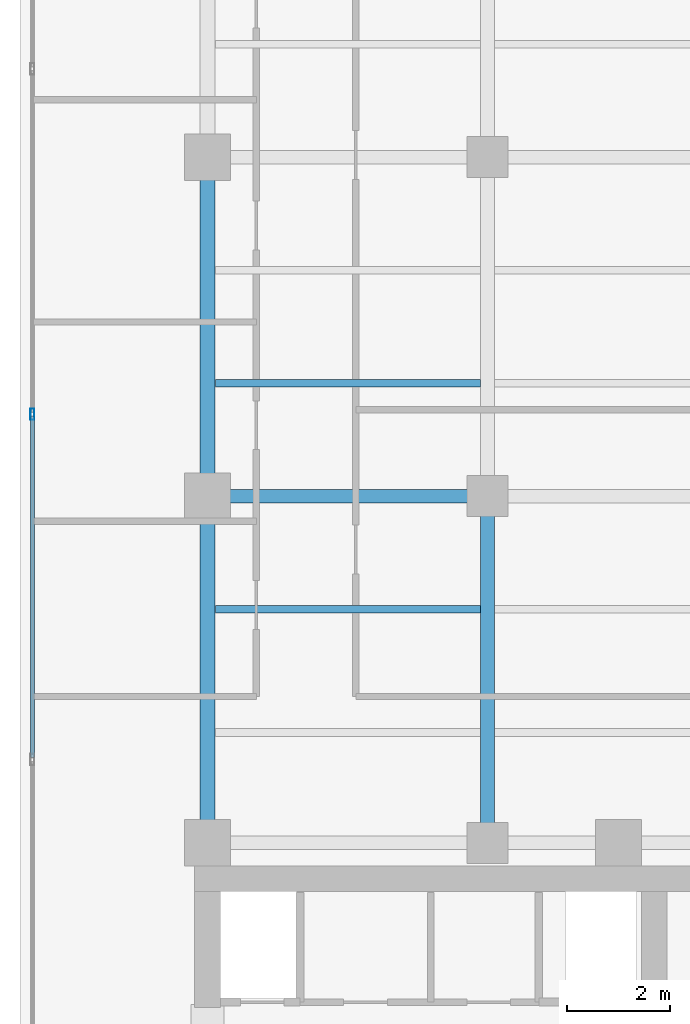
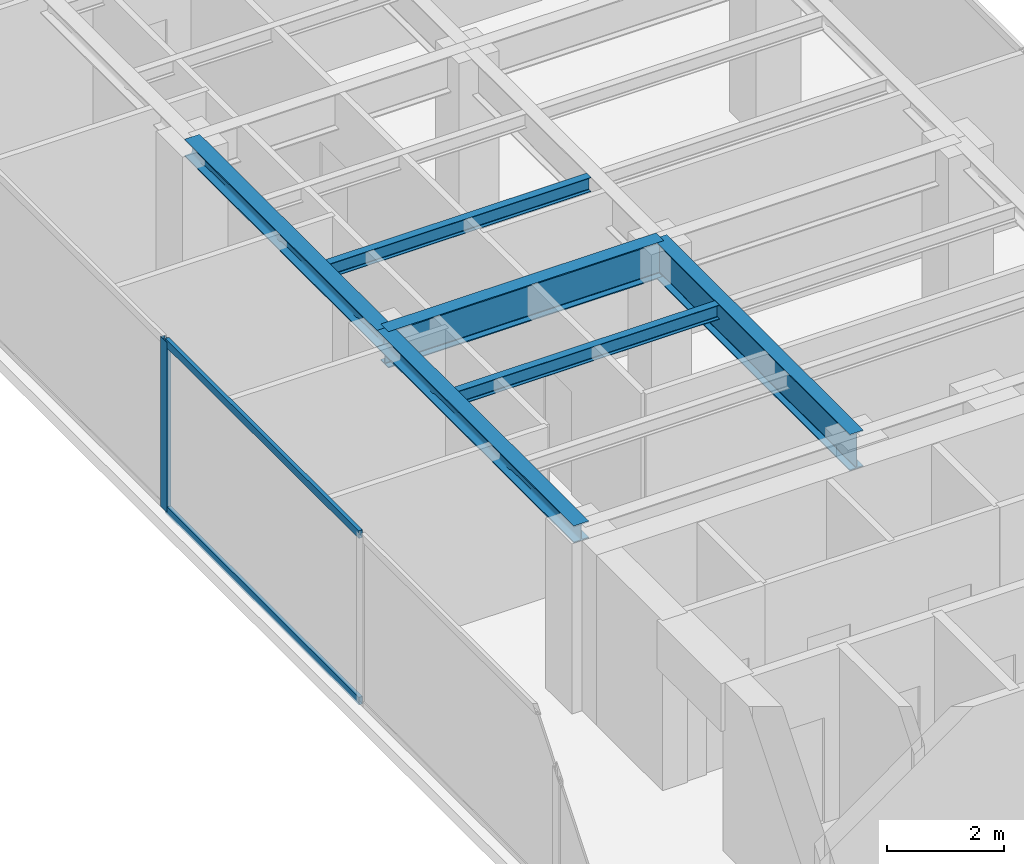
# One storey, part 7 of 23: 6 beams, 3 members, 1 element without a shape of its own.
"""IFC4 building model written with IfcOpenShell, lengths in metres."""

from ifc_helpers import new_model, si_unit, direction, frame, origin, origin_with_axes, origin_2d, place, context, subcontext, project, spatial, hollow_rectangle, i_section, extrude, source, transform, mapped, material, layer, layer_set, material_profile, profile_set, type_object, element, aggregate, save


model = new_model("IFC4")

# Units and contexts
model_context = context("Model", 3, precision=1e-05, world=origin(), true_north=direction((0.0, 1.0)))
body_context = subcontext(model_context, "Body", "Model", "MODEL_VIEW")
ifc_project = project(units=[si_unit("LENGTHUNIT", "METRE"), si_unit("AREAUNIT", "SQUARE_METRE"), si_unit("VOLUMEUNIT", "CUBIC_METRE"), si_unit("PLANEANGLEUNIT", "RADIAN"), si_unit("MASSUNIT", "GRAM", prefix="KILO")], contexts=[model_context])

# Site, building, storey
site_placement = place(None, origin())
site = spatial("IfcSite", under=ifc_project, at=site_placement, CompositionType="ELEMENT")
building_placement = place(site_placement, origin())
building = spatial("IfcBuilding", under=site, at=building_placement, Name="Kolvaren Waterfront Exchange", CompositionType="ELEMENT")
storey_placement = place(building_placement, frame((0.0, 0.0, 289.39990234375)))
storey = spatial("IfcBuildingStorey", under=building, at=storey_placement, Name="L74", CompositionType="ELEMENT", Elevation=289.39990234375)

# Beams
ifc_material_1 = material(Name="Steel S355", Category="steel")
ifc_material_profile_1 = material_profile(ifc_material_1, i_section(OverallWidth=0.300048828125, OverallDepth=0.360107421875, WebThickness=0.012451171875, FlangeThickness=0.0224609375, FilletRadius=0.027099609375, at=origin_2d()), Name="HEB360")
ifc_profile_set_1 = profile_set([ifc_material_profile_1], Name="Steel S355")
beam_type_1 = type_object("IfcBeamType", Name="STR-BM-HEB360", PredefinedType="SPANDREL", material=ifc_profile_set_1)
beam_1_placement = place(storey_placement, frame((7.449951171875, 24.449951171875, 3.380126953125), z_axis=(0.0, 1.0, 0.0), x_axis=(-1.0, 0.0, 0.0)))
element("IfcBeam", 1, at=beam_1_placement, inside=storey, type_object=beam_type_1, Name="L74 north-arm edge beam 1", PredefinedType="SPANDREL", context=body_context, shape_type="SweptSolid", body=[
    extrude(i_section(OverallWidth=0.300048828125, OverallDepth=0.360107421875, WebThickness=0.012451171875, FlangeThickness=0.0224609375, FilletRadius=0.027099609375, at=origin_2d()), origin(), (0.0, 0.0, 1.0), 6.75),
])
beam_2_placement = place(storey_placement, frame((7.449951171875, 31.199951171875, 3.380126953125), z_axis=(0.0, 1.0, 0.0), x_axis=(-1.0, 0.0, 0.0)))
element("IfcBeam", 2, at=beam_2_placement, inside=storey, type_object=beam_type_1, Name="L74 north-arm edge beam 2", PredefinedType="SPANDREL", context=body_context, shape_type="SweptSolid", body=[
    extrude(i_section(OverallWidth=0.300048828125, OverallDepth=0.360107421875, WebThickness=0.012451171875, FlangeThickness=0.0224609375, FilletRadius=0.027099609375, at=origin_2d()), origin(), (0.0, 0.0, 1.0), 6.60009765625),
])
ifc_material_profile_2 = material_profile(ifc_material_1, i_section(OverallWidth=0.14990234375, OverallDepth=0.300048828125, WebThickness=0.007080078125, FlangeThickness=0.0107421875, FilletRadius=0.014892578125, at=origin_2d()), Name="IPE300")
ifc_profile_set_2 = profile_set([ifc_material_profile_2], Name="Steel S355")
beam_type_2 = type_object("IfcBeamType", Name="STR-BM-IPE300", PredefinedType="JOIST", material=ifc_profile_set_2)
for number, where, z_axis, x_axis, name in (
    (3, (7.60205078125, 29.0, 3.41015625), (1.0, 0.0, 0.0), (0.0, 1.0, 0.0), "L74 north-arm composite joist 2A"),
    (4, (7.60205078125, 33.39990234375, 3.41015625), (1.0, 0.0, 0.0), (0.0, 1.0, 0.0), "L74 north-arm composite joist 3A"),
):
    element("IfcBeam", number, at=place(storey_placement, frame(where, z_axis=z_axis, x_axis=x_axis)), inside=storey, type_object=beam_type_2, Name=name, PredefinedType="JOIST", context=body_context, shape_type="SweptSolid", body=[
        extrude(i_section(OverallWidth=0.14990234375, OverallDepth=0.300048828125, WebThickness=0.007080078125, FlangeThickness=0.0107421875, FilletRadius=0.014892578125, at=origin_2d()), origin(), (0.0, 0.0, 1.0), 5.162353515625),
    ])
ifc_material_profile_3 = material_profile(ifc_material_1, i_section(OverallWidth=0.26708984375, OverallDepth=0.761962890625, WebThickness=0.014404296875, FlangeThickness=0.021484375, FilletRadius=0.01708984375, at=origin_2d()), Name="IPE750x173")
ifc_profile_set_3 = profile_set([ifc_material_profile_3], Name="Steel S355")
beam_type_3 = type_object("IfcBeamType", Name="STR-BM-IPE750", PredefinedType="BEAM", material=ifc_profile_set_3)
beam_3_placement = place(storey_placement, frame((7.449951171875, 31.199951171875, 3.17919921875), z_axis=(1.0, 0.0, 0.0), x_axis=(0.0, 1.0, 0.0)))
element("IfcBeam", 5, at=beam_3_placement, inside=storey, type_object=beam_type_3, Name="L74 north-arm girder 2A", PredefinedType="BEAM", context=body_context, shape_type="SweptSolid", body=[
    extrude(i_section(OverallWidth=0.26708984375, OverallDepth=0.761962890625, WebThickness=0.014404296875, FlangeThickness=0.021484375, FilletRadius=0.01708984375, at=origin_2d()), origin(), (0.0, 0.0, 1.0), 5.449951171875),
])
beam_4_placement = place(storey_placement, frame((12.89990234375, 24.449951171875, 3.17919921875), z_axis=(0.0, 1.0, 0.0), x_axis=(-1.0, 0.0, 0.0)))
element("IfcBeam", 6, at=beam_4_placement, inside=storey, type_object=beam_type_3, Name="L74 north-arm edge beam 1", PredefinedType="BEAM", context=body_context, shape_type="SweptSolid", body=[
    extrude(i_section(OverallWidth=0.26708984375, OverallDepth=0.761962890625, WebThickness=0.014404296875, FlangeThickness=0.021484375, FilletRadius=0.01708984375, at=origin_2d()), origin(), (0.0, 0.0, 1.0), 6.75),
])

# Curtain wall, members
ifc_material_2 = material(Name="Anodised aluminium 6063-T6", Category="aluminium")
ifc_layer = layer(ifc_material_2, 0.219970703125, Name="Anodised aluminium 6063-T6")
ifc_layer_set = layer_set([ifc_layer], Name="Anodised aluminium 6063-T6")
curtain_wall_type = type_object("IfcCurtainWallType", Name="ARC-CW-SYS2", PredefinedType="USERDEFINED", material=ifc_layer_set)
curtain_wall_placement = place(storey_placement, origin())
curtain_wall = element("IfcCurtainWall", 7, at=curtain_wall_placement, inside=storey, type_object=curtain_wall_type, Name="L74 stick curtain wall CW2 (CW-L74-W)", ObjectType="STICK CURTAIN WALL", PredefinedType="USERDEFINED")
ifc_material_profile_4 = material_profile(ifc_material_2, hollow_rectangle(XDim=0.080078125, YDim=0.219970703125, WallThickness=0.0048828125, at=origin_2d()), Name="ALU-MUL-220x80x5")
ifc_profile_set_4 = profile_set([ifc_material_profile_4], Name="Anodised aluminium 6063-T6")
member_type_1 = type_object("IfcMemberType", Name="ARC-CWM-220", PredefinedType="MULLION", material=ifc_profile_set_4)
shared_shape_1 = source(origin_with_axes(), body_context, "Body", "SweptSolid", [
    extrude(hollow_rectangle(XDim=0.080078125, YDim=0.219970703125, WallThickness=0.0048828125, at=origin_2d()), origin(), (0.0, 0.0, 1.0), 3.56005859375),
])
member_1_placement = place(storey_placement, frame((4.0400390625, 32.794677734375, 0.0), z_axis=(0.0, 0.0, 1.0), x_axis=(-1.0, 0.0, 0.0)))
member_1 = element("IfcMember", 8, at=member_1_placement, type_object=member_type_1, Name="CW2 mullion 5", PredefinedType="MULLION", context=body_context, shape_type="MappedRepresentation", body=[
    mapped(shared_shape_1, transform((0.0, 0.0, 0.0), x_axis=(1.0, 0.0, 0.0), y_axis=(0.0, 1.0, 0.0), z_axis=(0.0, 0.0, 1.0), scale=1.0)),
])
ifc_material_profile_5 = material_profile(ifc_material_2, hollow_rectangle(XDim=0.074951171875, YDim=0.159912109375, WallThickness=0.00439453125, at=origin_2d()), Name="ALU-TRN-160x75x4.5")
ifc_profile_set_5 = profile_set([ifc_material_profile_5], Name="Anodised aluminium 6063-T6")
member_type_2 = type_object("IfcMemberType", Name="ARC-CWT-160", PredefinedType="USERDEFINED", material=ifc_profile_set_5)
shared_shape_2 = source(origin_with_axes(), body_context, "Body", "SweptSolid", [
    extrude(hollow_rectangle(XDim=0.074951171875, YDim=0.159912109375, WallThickness=0.00439453125, at=origin_2d()), origin(), (0.0, 0.0, 1.0), 6.6435546875),
])
member_2_placement = place(storey_placement, frame((4.0400390625, 26.111083984375, 0.03759765625), z_axis=(0.0, 1.0, 0.0), x_axis=(-1.0, 0.0, 0.0)))
member_2 = element("IfcMember", 9, at=member_2_placement, type_object=member_type_2, Name="CW2 transom 4.1", ObjectType="TRANSOM", PredefinedType="USERDEFINED", context=body_context, shape_type="MappedRepresentation", body=[
    mapped(shared_shape_2, transform((0.0, 0.0, 0.0), x_axis=(1.0, 0.0, 0.0), y_axis=(0.0, 1.0, 0.0), z_axis=(0.0, 0.0, 1.0), scale=1.0)),
])
member_3_placement = place(storey_placement, frame((4.0400390625, 26.111083984375, 3.522705078125), z_axis=(0.0, 1.0, 0.0), x_axis=(-1.0, 0.0, 0.0)))
member_3 = element("IfcMember", 10, at=member_3_placement, type_object=member_type_2, Name="CW2 transom 4.2", ObjectType="TRANSOM", PredefinedType="USERDEFINED", context=body_context, shape_type="MappedRepresentation", body=[
    mapped(shared_shape_2, transform((0.0, 0.0, 0.0), x_axis=(1.0, 0.0, 0.0), y_axis=(0.0, 1.0, 0.0), z_axis=(0.0, 0.0, 1.0), scale=1.0)),
])
aggregate(curtain_wall, [member_1, member_2, member_3])

save(model, "model.ifc")
